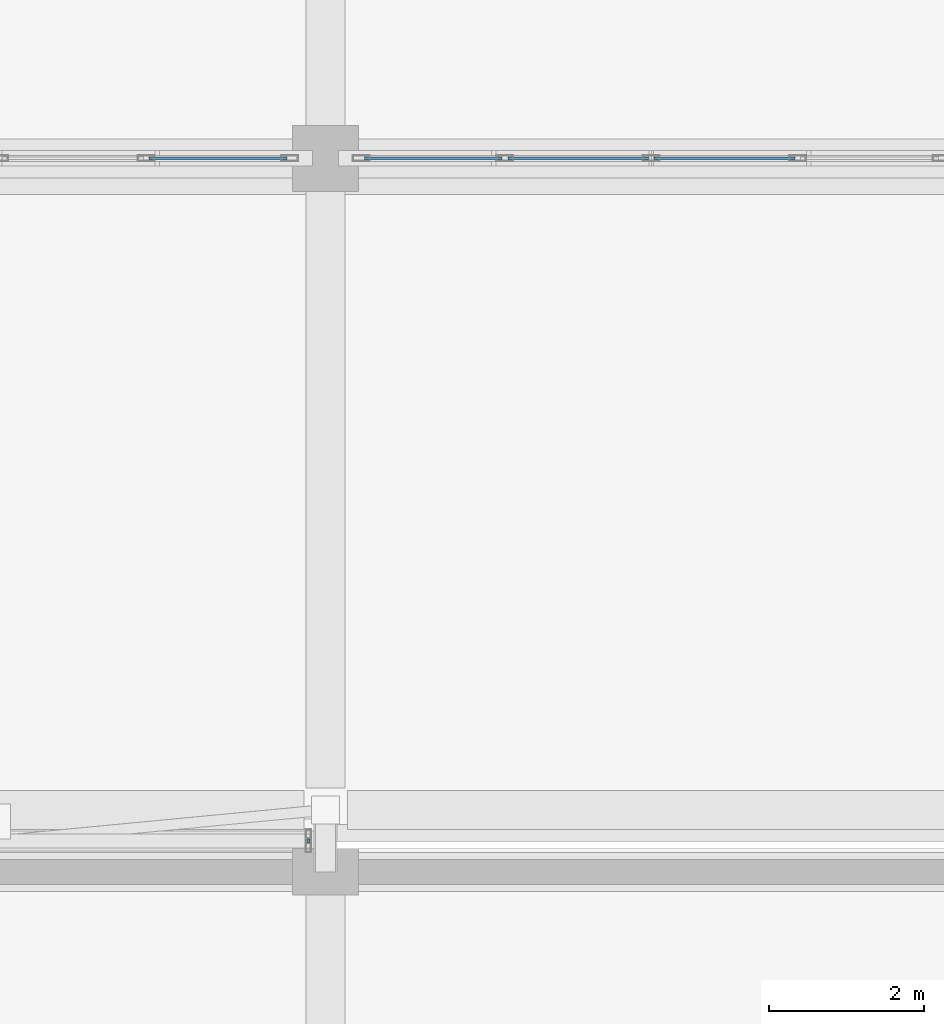
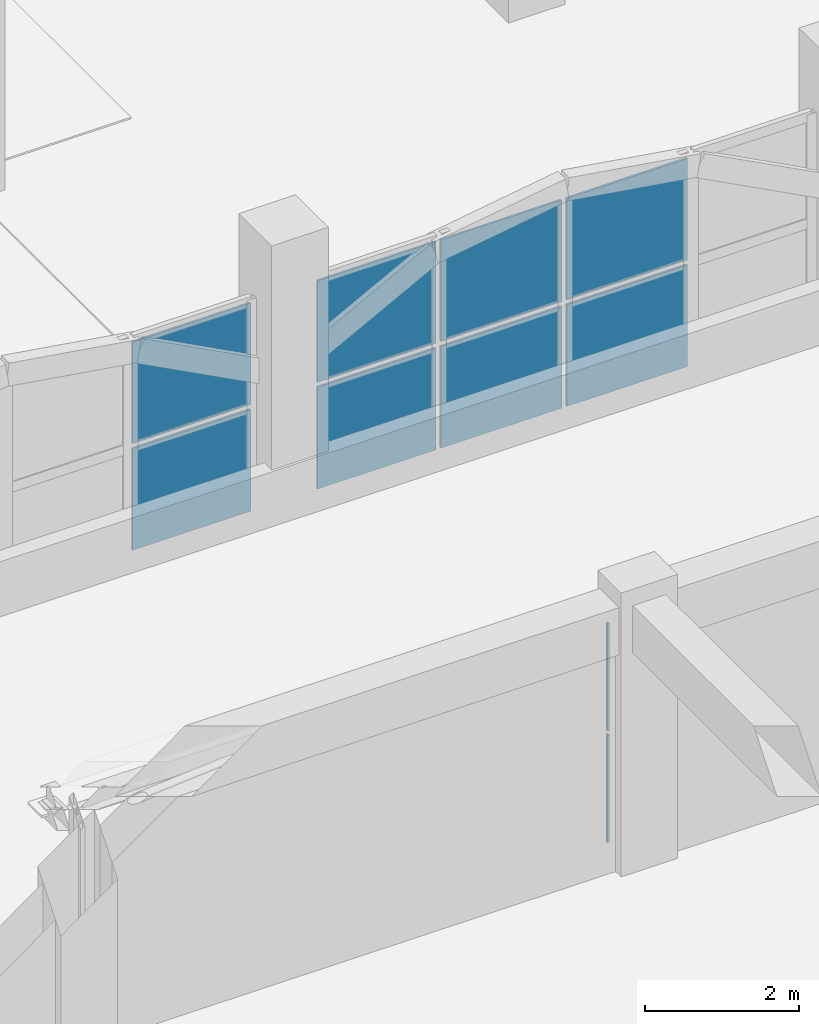
# One storey, part 87 of 129: 10 plates, 3 elements without a shape of their own.
"""IFC4 building model written with IfcOpenShell, lengths in metres."""

from ifc_helpers import new_model, si_unit, direction, frame, origin, origin_2d, place, context, subcontext, project, spatial, rectangle, extrude, material, layer, layer_set, type_object, element, aggregate, save


model = new_model("IFC4")

# Units and contexts
model_context = context("Model", 3, precision=1e-05, world=origin(), true_north=direction((0.0, 1.0)))
body_context = subcontext(model_context, "Body", "Model", "MODEL_VIEW")
ifc_project = project(units=[si_unit("LENGTHUNIT", "METRE"), si_unit("AREAUNIT", "SQUARE_METRE"), si_unit("VOLUMEUNIT", "CUBIC_METRE"), si_unit("PLANEANGLEUNIT", "RADIAN"), si_unit("MASSUNIT", "GRAM", prefix="KILO")], contexts=[model_context])

# Site, building, storey
site_placement = place(None, origin())
site = spatial("IfcSite", under=ifc_project, at=site_placement, CompositionType="ELEMENT")
building_placement = place(site_placement, origin())
building = spatial("IfcBuilding", under=site, at=building_placement, Name="Xazarin Passage Department Store", CompositionType="ELEMENT")
storey_placement = place(building_placement, frame((0.0, 0.0, 9.89990234375)))
storey = spatial("IfcBuildingStorey", under=building, at=storey_placement, Name="L02", CompositionType="ELEMENT", Elevation=9.89990234375)

# Curtain wall, plates
ifc_material_1 = material(Name="Bronze anodised aluminium", Category="aluminium")
ifc_layer_1 = layer(ifc_material_1, 0.14990234375)
ifc_layer_set_1 = layer_set([ifc_layer_1], Name="Bronze anodised aluminium")
curtain_wall_type_1 = type_object("IfcCurtainWallType", Name="ARC-CW-BRG1", PredefinedType="NOTDEFINED", material=ifc_layer_set_1)
curtain_wall_1_placement = place(storey_placement, origin())
curtain_wall_1 = element("IfcCurtainWall", 1, at=curtain_wall_1_placement, inside=storey, type_object=curtain_wall_type_1, Name="L02 BR-V1-V3 Bridge Curtain Wall 2", PredefinedType="NOTDEFINED")
ifc_material_2 = material(Name="Low-E laminated safety glass", Category="glass")
ifc_layer_2 = layer(ifc_material_2, 0.028076171875)
ifc_layer_set_2 = layer_set([ifc_layer_2], Name="Low-E laminated safety glass")
plate_type_1 = type_object("IfcPlateType", Name="ARC-CWP-GLZ28", PredefinedType="CURTAIN_PANEL", material=ifc_layer_set_2)
plate_1_placement = place(storey_placement, frame((33.3798828125, 50.800048828125, 0.06494140625), z_axis=(0.0, 0.0, 1.0), x_axis=(0.0, 1.0, 0.0)))
plate_1 = element("IfcPlate", 2, at=plate_1_placement, type_object=plate_type_1, Name="CW7 panel 1.1", PredefinedType="CURTAIN_PANEL", context=body_context, shape_type="SweptSolid", body=[
    extrude(rectangle(XDim=0.050048828125, YDim=0.028076171875, at=origin_2d()), origin(), (0.0, 0.0, 1.0), 1.702392578125),
])
plate_2_placement = place(storey_placement, frame((33.3798828125, 50.800048828125, 1.83251953125), z_axis=(0.0, 0.0, 1.0), x_axis=(0.0, 1.0, 0.0)))
plate_2 = element("IfcPlate", 3, at=plate_2_placement, type_object=plate_type_1, Name="CW7 panel 1.2", PredefinedType="CURTAIN_PANEL", context=body_context, shape_type="SweptSolid", body=[
    extrude(rectangle(XDim=0.050048828125, YDim=0.028076171875, at=origin_2d()), origin(), (0.0, 0.0, 1.0), 1.702392578125),
])
aggregate(curtain_wall_1, [plate_1, plate_2])

ifc_layer_3 = layer(ifc_material_1, 0.199951171875)
ifc_layer_set_3 = layer_set([ifc_layer_3], Name="Bronze anodised aluminium")
curtain_wall_type_2 = type_object("IfcCurtainWallType", Name="ARC-CW-VIT2", PredefinedType="NOTDEFINED", material=ifc_layer_set_3)
curtain_wall_2_placement = place(storey_placement, origin())
curtain_wall_2 = element("IfcCurtainWall", 4, at=curtain_wall_2_placement, inside=storey, type_object=curtain_wall_type_2, Name="L02 V1 Curtain Wall 032", PredefinedType="NOTDEFINED")
ifc_layer_4 = layer(ifc_material_2, 0.031982421875)
ifc_layer_set_4 = layer_set([ifc_layer_4], Name="Low-E laminated safety glass")
plate_type_2 = type_object("IfcPlateType", Name="ARC-CWP-GLZ32", PredefinedType="CURTAIN_PANEL", material=ifc_layer_set_4)
plate_3_placement = place(storey_placement, frame((32.21240234375, 59.60009765625, 0.0751953125), z_axis=(0.0, 0.0, 1.0), x_axis=(1.0, 0.0, 0.0)))
plate_3 = element("IfcPlate", 5, at=plate_3_placement, type_object=plate_type_2, Name="CW2 panel 4.1", PredefinedType="CURTAIN_PANEL", context=body_context, shape_type="SweptSolid", body=[
    extrude(rectangle(XDim=1.77490234375, YDim=0.031982421875, at=origin_2d()), origin(), (0.0, 0.0, 1.0), 1.612548828125),
])
plate_4_placement = place(storey_placement, frame((32.21240234375, 59.60009765625, 1.7626953125), z_axis=(0.0, 0.0, 1.0), x_axis=(1.0, 0.0, 0.0)))
plate_4 = element("IfcPlate", 6, at=plate_4_placement, type_object=plate_type_2, Name="CW2 panel 4.2", PredefinedType="CURTAIN_PANEL", context=body_context, shape_type="SweptSolid", body=[
    extrude(rectangle(XDim=1.77490234375, YDim=0.031982421875, at=origin_2d()), origin(), (0.0, 0.0, 1.0), 1.612548828125),
])
aggregate(curtain_wall_2, [plate_3, plate_4])

curtain_wall_3_placement = place(storey_placement, origin())
curtain_wall_3 = element("IfcCurtainWall", 7, at=curtain_wall_3_placement, inside=storey, type_object=curtain_wall_type_2, Name="L02 V1 Curtain Wall 033", PredefinedType="NOTDEFINED")
plate_5_placement = place(storey_placement, frame((34.987548828125, 59.60009765625, 0.0751953125), z_axis=(0.0, 0.0, 1.0), x_axis=(1.0, 0.0, 0.0)))
plate_5 = element("IfcPlate", 8, at=plate_5_placement, type_object=plate_type_2, Name="CW2 panel 1.1", PredefinedType="CURTAIN_PANEL", context=body_context, shape_type="SweptSolid", body=[
    extrude(rectangle(XDim=1.77490234375, YDim=0.031982421875, at=origin_2d()), origin(), (0.0, 0.0, 1.0), 1.612548828125),
])
plate_6_placement = place(storey_placement, frame((34.987548828125, 59.60009765625, 1.7626953125), z_axis=(0.0, 0.0, 1.0), x_axis=(1.0, 0.0, 0.0)))
plate_6 = element("IfcPlate", 9, at=plate_6_placement, type_object=plate_type_2, Name="CW2 panel 1.2", PredefinedType="CURTAIN_PANEL", context=body_context, shape_type="SweptSolid", body=[
    extrude(rectangle(XDim=1.77490234375, YDim=0.031982421875, at=origin_2d()), origin(), (0.0, 0.0, 1.0), 1.612548828125),
])
plate_7_placement = place(storey_placement, frame((36.856201171875, 59.60009765625, 0.0751953125), z_axis=(0.0, 0.0, 1.0), x_axis=(1.0, 0.0, 0.0)))
plate_7 = element("IfcPlate", 10, at=plate_7_placement, type_object=plate_type_2, Name="CW2 panel 2.1", PredefinedType="CURTAIN_PANEL", context=body_context, shape_type="SweptSolid", body=[
    extrude(rectangle(XDim=1.8125, YDim=0.031982421875, at=origin_2d()), origin(), (0.0, 0.0, 1.0), 1.612548828125),
])
plate_8_placement = place(storey_placement, frame((36.856201171875, 59.60009765625, 1.7626953125), z_axis=(0.0, 0.0, 1.0), x_axis=(1.0, 0.0, 0.0)))
plate_8 = element("IfcPlate", 11, at=plate_8_placement, type_object=plate_type_2, Name="CW2 panel 2.2", PredefinedType="CURTAIN_PANEL", context=body_context, shape_type="SweptSolid", body=[
    extrude(rectangle(XDim=1.8125, YDim=0.031982421875, at=origin_2d()), origin(), (0.0, 0.0, 1.0), 1.612548828125),
])
plate_9_placement = place(storey_placement, frame((38.74365234375, 59.60009765625, 0.0751953125), z_axis=(0.0, 0.0, 1.0), x_axis=(1.0, 0.0, 0.0)))
plate_9 = element("IfcPlate", 12, at=plate_9_placement, type_object=plate_type_2, Name="CW2 panel 3.1", PredefinedType="CURTAIN_PANEL", context=body_context, shape_type="SweptSolid", body=[
    extrude(rectangle(XDim=1.8125, YDim=0.031982421875, at=origin_2d()), origin(), (0.0, 0.0, 1.0), 1.612548828125),
])
plate_10_placement = place(storey_placement, frame((38.74365234375, 59.60009765625, 1.7626953125), z_axis=(0.0, 0.0, 1.0), x_axis=(1.0, 0.0, 0.0)))
plate_10 = element("IfcPlate", 13, at=plate_10_placement, type_object=plate_type_2, Name="CW2 panel 3.2", PredefinedType="CURTAIN_PANEL", context=body_context, shape_type="SweptSolid", body=[
    extrude(rectangle(XDim=1.8125, YDim=0.031982421875, at=origin_2d()), origin(), (0.0, 0.0, 1.0), 1.612548828125),
])
aggregate(curtain_wall_3, [plate_5, plate_6, plate_7, plate_8, plate_9, plate_10])

save(model, "model.ifc")
